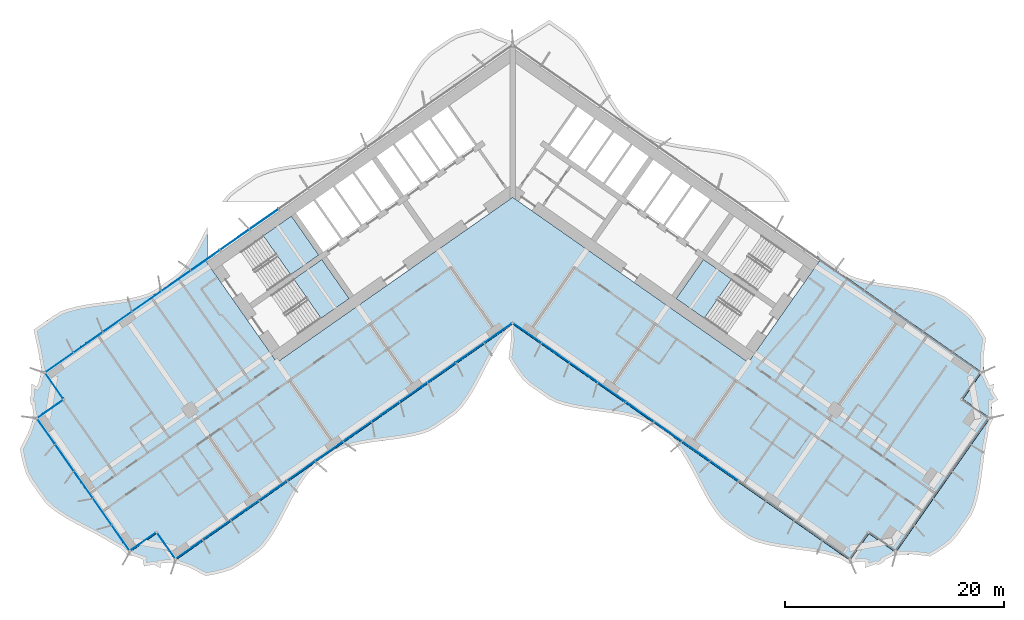
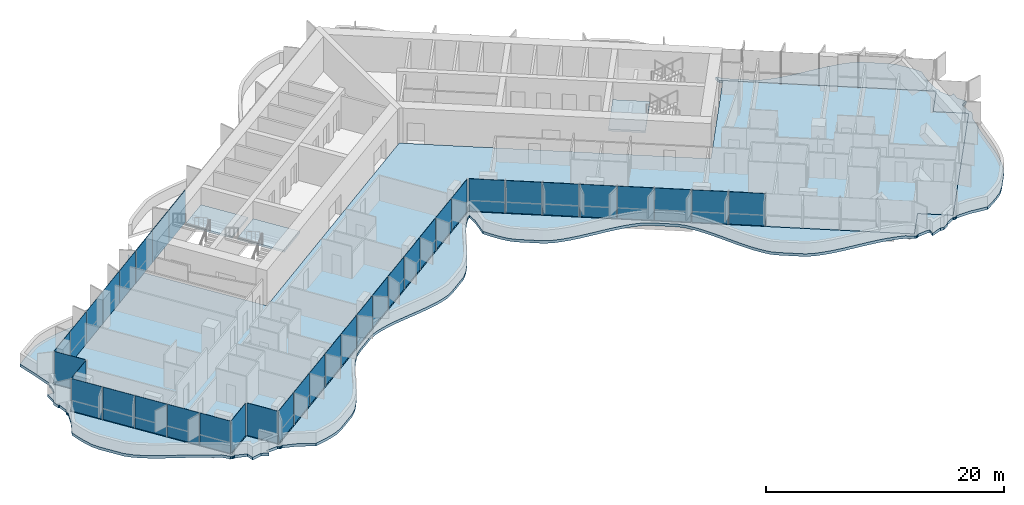
# One storey, part 11 of 24: 37 plates, 5 slabs, 5 elements without a shape of their own.
"""IFC4 building model written with IfcOpenShell, lengths in metres."""

import ifcopenshell
import ifcopenshell.guid

model = None  # the IFC model being written
_history = None  # IfcOwnerHistory: only IFC2X3 demands one
_inside = {}  # id of a spatial element -> (the spatial element, [elements in it])
_under = {}  # id of a project, library or spatial element -> (it, [spatial elements below it])
_declared = {}  # id of a project -> (the project, [libraries it declares])
_typed = {}  # id of a type object -> (the type object, [elements of that type])
_made_of = {}  # id of a material, layer set ... -> (it, [elements and type objects made of it])


def new_model(schema):
    """Start an empty IFC model of exactly this schema.

    Asked for "IFC4X3", IfcOpenShell would pick the latest addendum, in which some entities
    have other attributes; the version numbers below select the first issue.
    IFC2X3 requires an IfcOwnerHistory on every rooted entity: one is made here for all.
    """
    global model, _history
    if schema == "IFC4X3":
        model = ifcopenshell.file(schema_version=(4, 3, 0, 0))
    else:
        model = ifcopenshell.file(schema=schema)
    _inside.clear()
    _under.clear()
    _declared.clear()
    _typed.clear()
    _made_of.clear()
    _history = None
    if model.schema == "IFC2X3":
        org = make("IfcOrganization", Name="unknown")
        user = make(
            "IfcPersonAndOrganization",
            ThePerson=make("IfcPerson", FamilyName="unknown"),
            TheOrganization=org,
        )
        app = make(
            "IfcApplication",
            ApplicationDeveloper=org,
            Version="unknown",
            ApplicationFullName="unknown",
            ApplicationIdentifier="unknown",
        )
        _history = make(
            "IfcOwnerHistory",
            OwningUser=user,
            OwningApplication=app,
            ChangeAction="ADDED",
            CreationDate=0,
        )
    return model


def make(cls, **values):
    """One entity of the class cls with the attributes given. An attribute that is None is left unset."""
    return model.create_entity(
        cls, **{name: value for name, value in values.items() if value is not None}
    )


def rooted(cls, **values):
    """An entity with a GlobalId (a new one), such as an element, a storey or a relation."""
    return make(cls, GlobalId=ifcopenshell.guid.new(), OwnerHistory=_history, **values)


def si_unit(unit_type, name, prefix=None):
    """IfcSIUnit, for example si_unit("LENGTHUNIT", "METRE", prefix="MILLI")."""
    return make("IfcSIUnit", UnitType=unit_type, Prefix=prefix, Name=name)


def assignment(units):
    """IfcUnitAssignment: the units of a project."""
    return None if units is None else make("IfcUnitAssignment", Units=units)


def point(xyz):
    """IfcCartesianPoint."""
    return None if xyz is None else make("IfcCartesianPoint", Coordinates=xyz)


def direction(xyz):
    """IfcDirection."""
    return None if xyz is None else make("IfcDirection", DirectionRatios=xyz)


def frame(location, z_axis=None, x_axis=None):
    """IfcAxis2Placement3D, a coordinate frame: its origin and axes. An axis left out is left unset."""
    return make(
        "IfcAxis2Placement3D",
        Location=point(location),
        Axis=direction(z_axis),
        RefDirection=direction(x_axis),
    )


def frame_2d(location, x_axis=None):
    """IfcAxis2Placement2D, a coordinate frame in the plane: its origin and x axis."""
    return make(
        "IfcAxis2Placement2D", Location=point(location), RefDirection=direction(x_axis)
    )


def origin():
    """The frame at (0, 0, 0) with its axes left unset."""
    return frame((0.0, 0.0, 0.0))


def origin_2d():
    """The frame at (0, 0) in the plane with its x axis left unset."""
    return frame_2d((0.0, 0.0))


def place(relative_to, where):
    """IfcLocalPlacement: puts the frame where relative to a parent placement (None: the world)."""
    return make(
        "IfcLocalPlacement", PlacementRelTo=relative_to, RelativePlacement=where
    )


def context(
    kind, dimensions, precision=None, world=None, true_north=None, identifier=None
):
    """IfcGeometricRepresentationContext, for example the 3D "Model" context."""
    return make(
        "IfcGeometricRepresentationContext",
        ContextIdentifier=identifier,
        ContextType=kind,
        CoordinateSpaceDimension=dimensions,
        Precision=precision,
        WorldCoordinateSystem=world,
        TrueNorth=true_north,
    )


def subcontext(parent, identifier, kind, view, scale=None):
    """IfcGeometricRepresentationSubContext, for example "Body" below "Model"."""
    return make(
        "IfcGeometricRepresentationSubContext",
        ContextIdentifier=identifier,
        ContextType=kind,
        ParentContext=parent,
        TargetScale=scale,
        TargetView=view,
    )


def project(units=None, contexts=None):
    """IfcProject with its units and contexts."""
    return rooted(
        "IfcProject",
        Name="project",
        RepresentationContexts=contexts,
        UnitsInContext=assignment(units),
    )


def spatial(cls, under=None, at=None, **own):
    """A site, building, storey or space (cls), placed at a placement, below another one or the project."""
    s = rooted(cls, ObjectPlacement=at, **own)
    if under is not None:
        _under.setdefault(under.id(), (under, []))[1].append(s)
    return s


def polyline(points):
    """IfcPolyline through the points."""
    return make("IfcPolyline", Points=[point(p) for p in points])


def profile(cls, at=None, kind="AREA", **sizes):
    """A parametric profile (cls). Its sizes go by their IFC names, for example OverallWidth=200.0."""
    return make(cls, ProfileType=kind, Position=at, **sizes)


def rectangle(**sizes):
    """IfcRectangleProfileDef."""
    return profile("IfcRectangleProfileDef", **sizes)


def outline(outer, holes=None, kind="AREA"):
    """IfcArbitraryClosedProfileDef: a profile drawn as a closed curve; with holes, ...WithVoids."""
    if holes is None:
        return make("IfcArbitraryClosedProfileDef", ProfileType=kind, OuterCurve=outer)
    return make(
        "IfcArbitraryProfileDefWithVoids",
        ProfileType=kind,
        OuterCurve=outer,
        InnerCurves=holes,
    )


def extrude(swept, where, along, depth):
    """IfcExtrudedAreaSolid: the profile swept, set in the frame where, extruded along a direction by depth."""
    return make(
        "IfcExtrudedAreaSolid",
        SweptArea=swept,
        Position=where,
        ExtrudedDirection=direction(along),
        Depth=depth,
    )


def shape(context_of_items, identifier, shape_type, items):
    """IfcShapeRepresentation: the items that make up one representation, for example the "Body"."""
    return make(
        "IfcShapeRepresentation",
        ContextOfItems=context_of_items,
        RepresentationIdentifier=identifier,
        RepresentationType=shape_type,
        Items=items,
    )


def material(Name=None, Category=None):
    """IfcMaterial."""
    return make("IfcMaterial", Name=Name, Category=Category)


def layer(
    of_material, thickness, ventilated=None, Name=None, Category=None, Priority=None
):
    """IfcMaterialLayer: one layer of a wall or slab, of a material (None: an air gap)."""
    return make(
        "IfcMaterialLayer",
        Material=of_material,
        LayerThickness=thickness,
        IsVentilated=ventilated,
        Name=Name,
        Category=Category,
        Priority=Priority,
    )


def layer_set(layers, Name=None):
    """IfcMaterialLayerSet."""
    return make("IfcMaterialLayerSet", MaterialLayers=layers, LayerSetName=Name)


def made_of(thing, what):
    """Note that an element or type object is made of a material, layer set ...; save() writes the relation."""
    if what is not None:
        _made_of.setdefault(what.id(), (what, []))[1].append(thing)
    return thing


def type_object(cls, material=None, **own):
    """A type object (cls), such as IfcWallType, which elements share."""
    return made_of(rooted(cls, **own), material)


def element(
    cls,
    number,
    at=None,
    inside=None,
    cuts=None,
    type_object=None,
    material=None,
    context=None,
    identifier="Body",
    shape_type=None,
    held_by="IfcProductDefinitionShape",
    body=None,
    shapes=None,
    **own,
):
    """One element of the class cls, such as IfcWall. Its Tag is "e" and its number.

    at: its placement. inside: the storey or other place that contains it. cuts: it is an
    opening in that element (IfcRelVoidsElement). A single representation is given by context,
    identifier, shape_type and body (its items); several are given by shapes. held_by: the class
    of the entity that holds the representations. save() writes the other relations.
    """
    e = rooted(cls, Tag="e%d" % number, ObjectPlacement=at, **own)
    if body is not None:
        shapes = [shape(context, identifier, shape_type, body)]
    if shapes is not None:
        e.Representation = make(held_by, Representations=shapes)
    if inside is not None:
        _inside.setdefault(inside.id(), (inside, []))[1].append(e)
    if cuts is not None:
        rooted(
            "IfcRelVoidsElement", RelatingBuildingElement=cuts, RelatedOpeningElement=e
        )
    if type_object is not None:
        _typed.setdefault(type_object.id(), (type_object, []))[1].append(e)
    return made_of(e, material)


def aggregate(whole, parts):
    """IfcRelAggregates: a whole, such as a stair, and the parts it consists of."""
    return rooted("IfcRelAggregates", RelatingObject=whole, RelatedObjects=parts)


def save(model, path):
    """Write the relations noted so far, then the file.

    IfcRelAggregates (storeys below a building ...), IfcRelContainedInSpatialStructure (elements
    in a storey), IfcRelDefinesByType, IfcRelAssociatesMaterial and IfcRelDeclares: one each for
    every whole, place, type object, material and project.
    """
    for whole, parts in _under.values():
        aggregate(whole, parts)
    for where, things in _inside.values():
        rooted(
            "IfcRelContainedInSpatialStructure",
            RelatedElements=things,
            RelatingStructure=where,
        )
    for kind, things in _typed.values():
        rooted("IfcRelDefinesByType", RelatedObjects=things, RelatingType=kind)
    for what, things in _made_of.values():
        rooted("IfcRelAssociatesMaterial", RelatedObjects=things, RelatingMaterial=what)
    for by, libraries in _declared.values():
        rooted("IfcRelDeclares", RelatingContext=by, RelatedDefinitions=libraries)
    model.write(path)


model = new_model("IFC4")

# Units and contexts
model_context = context("Model", 3, precision=1e-05, world=origin(), true_north=direction((0.0, 1.0)))
body_context = subcontext(model_context, "Body", "Model", "MODEL_VIEW")
ifc_project = project(units=[si_unit("LENGTHUNIT", "METRE"), si_unit("AREAUNIT", "SQUARE_METRE"), si_unit("VOLUMEUNIT", "CUBIC_METRE"), si_unit("PLANEANGLEUNIT", "RADIAN"), si_unit("MASSUNIT", "GRAM", prefix="KILO")], contexts=[model_context])

# Site, building, storey
site_placement = place(None, origin())
site = spatial("IfcSite", under=ifc_project, at=site_placement, CompositionType="ELEMENT")
building_placement = place(site_placement, origin())
building = spatial("IfcBuilding", under=site, at=building_placement, Name="Tel Ilan Convention Tower", CompositionType="ELEMENT")
storey_placement = place(building_placement, frame((0.0, 0.0, 72.5)))
storey = spatial("IfcBuildingStorey", under=building, at=storey_placement, Name="L13", CompositionType="ELEMENT", Elevation=72.5)

# Curtain wall, plates
ifc_material_1 = material(Name="Aluminium, bronze anodised", Category="aluminium")
curtain_wall_type_1 = type_object("IfcCurtainWallType", Name="CW1 UNITISED CURTAIN WALL, HOTEL TINTED GLASS", PredefinedType="NOTDEFINED", material=ifc_material_1)
curtain_wall_1_placement = place(storey_placement, origin())
curtain_wall_1 = element("IfcCurtainWall", 1, at=curtain_wall_1_placement, inside=storey, type_object=curtain_wall_type_1, Name="Curtain wall CW1-13.02", PredefinedType="NOTDEFINED")
ifc_material_2 = material(Name="Glass, bronze tinted, two-ply unitised", Category="glass")
ifc_layer_1 = layer(ifc_material_2, 0.028076171875)
ifc_layer_set_1 = layer_set([ifc_layer_1], Name="CW HOTEL GLASS PANEL 28")
plate_type_1 = type_object("IfcPlateType", Name="CW HOTEL GLASS PANEL 28", PredefinedType="CURTAIN_PANEL", material=ifc_layer_set_1)
plate_1_placement = place(storey_placement, frame((-30.765869140625, -8.846435546875, 0.0), z_axis=(0.0, 0.0, 1.0), x_axis=(-0.819152044289, -0.573576436351, 0.0)))
plate_1 = element("IfcPlate", 2, at=plate_1_placement, type_object=plate_type_1, Name="Glass panel", PredefinedType="CURTAIN_PANEL", context=body_context, shape_type="SweptSolid", body=[
    extrude(rectangle(XDim=3.2119140625, YDim=0.028076171875, at=origin_2d()), origin(), (0.0, 0.0, 1.0), 3.320068359375),
])
plate_2_placement = place(storey_placement, frame((-33.446044921875, -10.72314453125, 0.0), z_axis=(0.0, 0.0, 1.0), x_axis=(-0.819152044289, -0.573576436351, 0.0)))
plate_2 = element("IfcPlate", 3, at=plate_2_placement, type_object=plate_type_1, Name="Glass panel", PredefinedType="CURTAIN_PANEL", context=body_context, shape_type="SweptSolid", body=[
    extrude(rectangle(XDim=3.2119140625, YDim=0.028076171875, at=origin_2d()), origin(), (0.0, 0.0, 1.0), 3.320068359375),
])
plate_3_placement = place(storey_placement, frame((-36.12646484375, -12.599853515625, 0.0), z_axis=(0.0, 0.0, 1.0), x_axis=(-0.819152044289, -0.573576436351, 0.0)))
plate_3 = element("IfcPlate", 4, at=plate_3_placement, type_object=plate_type_1, Name="Glass panel", PredefinedType="CURTAIN_PANEL", context=body_context, shape_type="SweptSolid", body=[
    extrude(rectangle(XDim=3.2119140625, YDim=0.028076171875, at=origin_2d()), origin(), (0.0, 0.0, 1.0), 3.320068359375),
])
plate_4_placement = place(storey_placement, frame((-38.806640625, -14.4765625, 0.0), z_axis=(0.0, 0.0, 1.0), x_axis=(-0.819152044289, -0.573576436351, 0.0)))
plate_4 = element("IfcPlate", 5, at=plate_4_placement, type_object=plate_type_1, Name="Glass panel", PredefinedType="CURTAIN_PANEL", context=body_context, shape_type="SweptSolid", body=[
    extrude(rectangle(XDim=3.2119140625, YDim=0.028076171875, at=origin_2d()), origin(), (0.0, 0.0, 1.0), 3.320068359375),
])
plate_5_placement = place(storey_placement, frame((-41.448486328125, -16.326416015625, 0.0), z_axis=(0.0, 0.0, 1.0), x_axis=(-0.819152044289, -0.573576436351, 0.0)))
plate_5 = element("IfcPlate", 6, at=plate_5_placement, type_object=plate_type_1, Name="Glass panel", PredefinedType="CURTAIN_PANEL", context=body_context, shape_type="SweptSolid", body=[
    extrude(rectangle(XDim=3.117919921875, YDim=0.028076171875, at=origin_2d()), origin(), (0.0, 0.0, 1.0), 3.320068359375),
])
plate_6_placement = place(storey_placement, frame((-41.90673828125, -18.431640625, 0.0), z_axis=(0.0, 0.0, 1.0), x_axis=(0.573576436351, -0.819152044289, 0.0)))
plate_6 = element("IfcPlate", 7, at=plate_6_placement, type_object=plate_type_1, Name="Glass panel", PredefinedType="CURTAIN_PANEL", context=body_context, shape_type="SweptSolid", body=[
    extrude(rectangle(XDim=2.875, YDim=0.028076171875, at=origin_2d()), origin(), (0.0, 0.0, 1.0), 3.320068359375),
])
plate_7_placement = place(storey_placement, frame((-42.28466796875, -20.57421875, 0.0), z_axis=(0.0, 0.0, 1.0), x_axis=(-0.819152044289, -0.573576436351, 0.0)))
plate_7 = element("IfcPlate", 8, at=plate_7_placement, type_object=plate_type_1, Name="Glass panel", PredefinedType="CURTAIN_PANEL", context=body_context, shape_type="SweptSolid", body=[
    extrude(rectangle(XDim=2.875, YDim=0.028076171875, at=origin_2d()), origin(), (0.0, 0.0, 1.0), 3.320068359375),
])
plate_8_placement = place(storey_placement, frame((-42.65185546875, -22.597900390625, 0.0), z_axis=(0.0, 0.0, 1.0), x_axis=(0.573576436351, -0.819152044289, 0.0)))
plate_8 = element("IfcPlate", 9, at=plate_8_placement, type_object=plate_type_1, Name="Glass panel", PredefinedType="CURTAIN_PANEL", context=body_context, shape_type="SweptSolid", body=[
    extrude(rectangle(XDim=2.845947265625, YDim=0.028076171875, at=origin_2d()), origin(), (0.0, 0.0, 1.0), 3.320068359375),
])
plate_9_placement = place(storey_placement, frame((-40.9580078125, -25.016845703125, 0.0), z_axis=(0.0, 0.0, 1.0), x_axis=(0.573576436351, -0.819152044289, 0.0)))
plate_9 = element("IfcPlate", 10, at=plate_9_placement, type_object=plate_type_1, Name="Glass panel", PredefinedType="CURTAIN_PANEL", context=body_context, shape_type="SweptSolid", body=[
    extrude(rectangle(XDim=2.93994140625, YDim=0.028076171875, at=origin_2d()), origin(), (0.0, 0.0, 1.0), 3.320068359375),
])
plate_10_placement = place(storey_placement, frame((-39.2373046875, -27.474365234375, 0.0), z_axis=(0.0, 0.0, 1.0), x_axis=(0.573576436351, -0.819152044289, 0.0)))
plate_10 = element("IfcPlate", 11, at=plate_10_placement, type_object=plate_type_1, Name="Glass panel", PredefinedType="CURTAIN_PANEL", context=body_context, shape_type="SweptSolid", body=[
    extrude(rectangle(XDim=2.93994140625, YDim=0.028076171875, at=origin_2d()), origin(), (0.0, 0.0, 1.0), 3.320068359375),
])
plate_11_placement = place(storey_placement, frame((-37.5166015625, -29.931884765625, 0.0), z_axis=(0.0, 0.0, 1.0), x_axis=(0.573576436351, -0.819152044289, 0.0)))
plate_11 = element("IfcPlate", 12, at=plate_11_placement, type_object=plate_type_1, Name="Glass panel", PredefinedType="CURTAIN_PANEL", context=body_context, shape_type="SweptSolid", body=[
    extrude(rectangle(XDim=2.93994140625, YDim=0.028076171875, at=origin_2d()), origin(), (0.0, 0.0, 1.0), 3.320068359375),
])
plate_12_placement = place(storey_placement, frame((-35.822998046875, -32.350830078125, 0.0), z_axis=(0.0, 0.0, 1.0), x_axis=(0.573576436351, -0.819152044289, 0.0)))
plate_12 = element("IfcPlate", 13, at=plate_12_placement, type_object=plate_type_1, Name="Glass panel", PredefinedType="CURTAIN_PANEL", context=body_context, shape_type="SweptSolid", body=[
    extrude(rectangle(XDim=2.845947265625, YDim=0.028076171875, at=origin_2d()), origin(), (0.0, 0.0, 1.0), 3.320068359375),
])
plate_13_placement = place(storey_placement, frame((-33.795654296875, -32.69775390625, 0.0), z_axis=(0.0, 0.0, 1.0), x_axis=(0.819152044289, 0.573576436351, 0.0)))
plate_13 = element("IfcPlate", 14, at=plate_13_placement, type_object=plate_type_1, Name="Glass panel", PredefinedType="CURTAIN_PANEL", context=body_context, shape_type="SweptSolid", body=[
    extrude(rectangle(XDim=2.875, YDim=0.028076171875, at=origin_2d()), origin(), (0.0, 0.0, 1.0), 3.320068359375),
])
plate_14_placement = place(storey_placement, frame((-31.653076171875, -33.07568359375, 0.0), z_axis=(0.0, 0.0, 1.0), x_axis=(0.573576436351, -0.819152044289, 0.0)))
plate_14 = element("IfcPlate", 15, at=plate_14_placement, type_object=plate_type_1, Name="Glass panel", PredefinedType="CURTAIN_PANEL", context=body_context, shape_type="SweptSolid", body=[
    extrude(rectangle(XDim=2.875, YDim=0.028076171875, at=origin_2d()), origin(), (0.0, 0.0, 1.0), 3.320068359375),
])
plate_15_placement = place(storey_placement, frame((-29.5732421875, -33.4033203125, 0.0), z_axis=(0.0, 0.0, 1.0), x_axis=(0.819152044289, 0.573576436351, 0.0)))
plate_15 = element("IfcPlate", 16, at=plate_15_placement, type_object=plate_type_1, Name="Glass panel", PredefinedType="CURTAIN_PANEL", context=body_context, shape_type="SweptSolid", body=[
    extrude(rectangle(XDim=2.9833984375, YDim=0.028076171875, at=origin_2d()), origin(), (0.0, 0.0, 1.0), 3.320068359375),
])
plate_16_placement = place(storey_placement, frame((-27.041748046875, -31.630859375, 0.0), z_axis=(0.0, 0.0, 1.0), x_axis=(0.819152044289, 0.573576436351, 0.0)))
plate_16 = element("IfcPlate", 17, at=plate_16_placement, type_object=plate_type_1, Name="Glass panel", PredefinedType="CURTAIN_PANEL", context=body_context, shape_type="SweptSolid", body=[
    extrude(rectangle(XDim=3.077392578125, YDim=0.028076171875, at=origin_2d()), origin(), (0.0, 0.0, 1.0), 3.320068359375),
])
plate_17_placement = place(storey_placement, frame((-24.4716796875, -29.831298828125, 0.0), z_axis=(0.0, 0.0, 1.0), x_axis=(0.819152044289, 0.573576436351, 0.0)))
plate_17 = element("IfcPlate", 18, at=plate_17_placement, type_object=plate_type_1, Name="Glass panel", PredefinedType="CURTAIN_PANEL", context=body_context, shape_type="SweptSolid", body=[
    extrude(rectangle(XDim=3.077392578125, YDim=0.028076171875, at=origin_2d()), origin(), (0.0, 0.0, 1.0), 3.320068359375),
])
plate_18_placement = place(storey_placement, frame((-21.90185546875, -28.031982421875, 0.0), z_axis=(0.0, 0.0, 1.0), x_axis=(0.819152044289, 0.573576436351, 0.0)))
plate_18 = element("IfcPlate", 19, at=plate_18_placement, type_object=plate_type_1, Name="Glass panel", PredefinedType="CURTAIN_PANEL", context=body_context, shape_type="SweptSolid", body=[
    extrude(rectangle(XDim=3.077392578125, YDim=0.028076171875, at=origin_2d()), origin(), (0.0, 0.0, 1.0), 3.320068359375),
])
plate_19_placement = place(storey_placement, frame((-19.33203125, -26.232421875, 0.0), z_axis=(0.0, 0.0, 1.0), x_axis=(0.819152044289, 0.573576436351, 0.0)))
plate_19 = element("IfcPlate", 20, at=plate_19_placement, type_object=plate_type_1, Name="Glass panel", PredefinedType="CURTAIN_PANEL", context=body_context, shape_type="SweptSolid", body=[
    extrude(rectangle(XDim=3.077392578125, YDim=0.028076171875, at=origin_2d()), origin(), (0.0, 0.0, 1.0), 3.320068359375),
])
plate_20_placement = place(storey_placement, frame((-16.761962890625, -24.432861328125, 0.0), z_axis=(0.0, 0.0, 1.0), x_axis=(0.819152044289, 0.573576436351, 0.0)))
plate_20 = element("IfcPlate", 21, at=plate_20_placement, type_object=plate_type_1, Name="Glass panel", PredefinedType="CURTAIN_PANEL", context=body_context, shape_type="SweptSolid", body=[
    extrude(rectangle(XDim=3.077392578125, YDim=0.028076171875, at=origin_2d()), origin(), (0.0, 0.0, 1.0), 3.320068359375),
])
plate_21_placement = place(storey_placement, frame((-14.192138671875, -22.633544921875, 0.0), z_axis=(0.0, 0.0, 1.0), x_axis=(0.819152044289, 0.573576436351, 0.0)))
plate_21 = element("IfcPlate", 22, at=plate_21_placement, type_object=plate_type_1, Name="Glass panel", PredefinedType="CURTAIN_PANEL", context=body_context, shape_type="SweptSolid", body=[
    extrude(rectangle(XDim=3.077392578125, YDim=0.028076171875, at=origin_2d()), origin(), (0.0, 0.0, 1.0), 3.320068359375),
])
plate_22_placement = place(storey_placement, frame((-11.6220703125, -20.833984375, 0.0), z_axis=(0.0, 0.0, 1.0), x_axis=(0.819152044289, 0.573576436351, 0.0)))
plate_22 = element("IfcPlate", 23, at=plate_22_placement, type_object=plate_type_1, Name="Glass panel", PredefinedType="CURTAIN_PANEL", context=body_context, shape_type="SweptSolid", body=[
    extrude(rectangle(XDim=3.077392578125, YDim=0.028076171875, at=origin_2d()), origin(), (0.0, 0.0, 1.0), 3.320068359375),
])
plate_23_placement = place(storey_placement, frame((-9.05224609375, -19.034423828125, 0.0), z_axis=(0.0, 0.0, 1.0), x_axis=(0.819152044289, 0.573576436351, 0.0)))
plate_23 = element("IfcPlate", 24, at=plate_23_placement, type_object=plate_type_1, Name="Glass panel", PredefinedType="CURTAIN_PANEL", context=body_context, shape_type="SweptSolid", body=[
    extrude(rectangle(XDim=3.077392578125, YDim=0.028076171875, at=origin_2d()), origin(), (0.0, 0.0, 1.0), 3.320068359375),
])
plate_24_placement = place(storey_placement, frame((-6.482177734375, -17.23486328125, 0.0), z_axis=(0.0, 0.0, 1.0), x_axis=(0.819152044289, 0.573576436351, 0.0)))
plate_24 = element("IfcPlate", 25, at=plate_24_placement, type_object=plate_type_1, Name="Glass panel", PredefinedType="CURTAIN_PANEL", context=body_context, shape_type="SweptSolid", body=[
    extrude(rectangle(XDim=3.077392578125, YDim=0.028076171875, at=origin_2d()), origin(), (0.0, 0.0, 1.0), 3.320068359375),
])
plate_25_placement = place(storey_placement, frame((-3.912353515625, -15.435546875, 0.0), z_axis=(0.0, 0.0, 1.0), x_axis=(0.819152044289, 0.573576436351, 0.0)))
plate_25 = element("IfcPlate", 26, at=plate_25_placement, type_object=plate_type_1, Name="Glass panel", PredefinedType="CURTAIN_PANEL", context=body_context, shape_type="SweptSolid", body=[
    extrude(rectangle(XDim=3.077392578125, YDim=0.028076171875, at=origin_2d()), origin(), (0.0, 0.0, 1.0), 3.320068359375),
])
plate_26_placement = place(storey_placement, frame((-1.3427734375, -13.63623046875, 0.0), z_axis=(0.0, 0.0, 1.0), x_axis=(0.819152044289, 0.573576436351, 0.0)))
plate_26 = element("IfcPlate", 27, at=plate_26_placement, type_object=plate_type_1, Name="Glass panel", PredefinedType="CURTAIN_PANEL", context=body_context, shape_type="SweptSolid", body=[
    extrude(rectangle(XDim=3.076416015625, YDim=0.028076171875, at=origin_2d()), origin(), (0.0, 0.0, 1.0), 3.320068359375),
])
plate_27_placement = place(storey_placement, frame((1.354248046875, -13.644287109375, 0.0), z_axis=(0.0, 0.0, 1.0), x_axis=(0.819152044289, -0.573576436351, 0.0)))
plate_27 = element("IfcPlate", 28, at=plate_27_placement, type_object=plate_type_1, Name="Glass panel", PredefinedType="CURTAIN_PANEL", context=body_context, shape_type="SweptSolid", body=[
    extrude(rectangle(XDim=3.048095703125, YDim=0.028076171875, at=origin_2d()), origin(), (0.0, 0.0, 1.0), 3.320068359375),
])
plate_28_placement = place(storey_placement, frame((3.912353515625, -15.435546875, 0.0), z_axis=(0.0, 0.0, 1.0), x_axis=(0.819152044289, -0.573576436351, 0.0)))
plate_28 = element("IfcPlate", 29, at=plate_28_placement, type_object=plate_type_1, Name="Glass panel", PredefinedType="CURTAIN_PANEL", context=body_context, shape_type="SweptSolid", body=[
    extrude(rectangle(XDim=3.077392578125, YDim=0.028076171875, at=origin_2d()), origin(), (0.0, 0.0, 1.0), 3.320068359375),
])
plate_29_placement = place(storey_placement, frame((6.482177734375, -17.23486328125, 0.0), z_axis=(0.0, 0.0, 1.0), x_axis=(0.819152044289, -0.573576436351, 0.0)))
plate_29 = element("IfcPlate", 30, at=plate_29_placement, type_object=plate_type_1, Name="Glass panel", PredefinedType="CURTAIN_PANEL", context=body_context, shape_type="SweptSolid", body=[
    extrude(rectangle(XDim=3.077392578125, YDim=0.028076171875, at=origin_2d()), origin(), (0.0, 0.0, 1.0), 3.320068359375),
])
plate_30_placement = place(storey_placement, frame((9.05224609375, -19.034423828125, 0.0), z_axis=(0.0, 0.0, 1.0), x_axis=(0.819152044289, -0.573576436351, 0.0)))
plate_30 = element("IfcPlate", 31, at=plate_30_placement, type_object=plate_type_1, Name="Glass panel", PredefinedType="CURTAIN_PANEL", context=body_context, shape_type="SweptSolid", body=[
    extrude(rectangle(XDim=3.077392578125, YDim=0.028076171875, at=origin_2d()), origin(), (0.0, 0.0, 1.0), 3.320068359375),
])
plate_31_placement = place(storey_placement, frame((11.6220703125, -20.833984375, 0.0), z_axis=(0.0, 0.0, 1.0), x_axis=(0.819152044289, -0.573576436351, 0.0)))
plate_31 = element("IfcPlate", 32, at=plate_31_placement, type_object=plate_type_1, Name="Glass panel", PredefinedType="CURTAIN_PANEL", context=body_context, shape_type="SweptSolid", body=[
    extrude(rectangle(XDim=3.077392578125, YDim=0.028076171875, at=origin_2d()), origin(), (0.0, 0.0, 1.0), 3.320068359375),
])
plate_32_placement = place(storey_placement, frame((14.192138671875, -22.633544921875, 0.0), z_axis=(0.0, 0.0, 1.0), x_axis=(0.819152044289, -0.573576436351, 0.0)))
plate_32 = element("IfcPlate", 33, at=plate_32_placement, type_object=plate_type_1, Name="Glass panel", PredefinedType="CURTAIN_PANEL", context=body_context, shape_type="SweptSolid", body=[
    extrude(rectangle(XDim=3.077392578125, YDim=0.028076171875, at=origin_2d()), origin(), (0.0, 0.0, 1.0), 3.320068359375),
])
plate_33_placement = place(storey_placement, frame((16.761962890625, -24.432861328125, 0.0), z_axis=(0.0, 0.0, 1.0), x_axis=(0.819152044289, -0.573576436351, 0.0)))
plate_33 = element("IfcPlate", 34, at=plate_33_placement, type_object=plate_type_1, Name="Glass panel", PredefinedType="CURTAIN_PANEL", context=body_context, shape_type="SweptSolid", body=[
    extrude(rectangle(XDim=3.077392578125, YDim=0.028076171875, at=origin_2d()), origin(), (0.0, 0.0, 1.0), 3.320068359375),
])
plate_34_placement = place(storey_placement, frame((19.33203125, -26.232421875, 0.0), z_axis=(0.0, 0.0, 1.0), x_axis=(0.819152044289, -0.573576436351, 0.0)))
plate_34 = element("IfcPlate", 35, at=plate_34_placement, type_object=plate_type_1, Name="Glass panel", PredefinedType="CURTAIN_PANEL", context=body_context, shape_type="SweptSolid", body=[
    extrude(rectangle(XDim=3.077392578125, YDim=0.028076171875, at=origin_2d()), origin(), (0.0, 0.0, 1.0), 3.320068359375),
])
aggregate(curtain_wall_1, [plate_1, plate_2, plate_3, plate_4, plate_5, plate_6, plate_7, plate_8, plate_9, plate_10, plate_11, plate_12, plate_13, plate_14, plate_15, plate_16, plate_17, plate_18, plate_19, plate_20, plate_21, plate_22, plate_23, plate_24, plate_25, plate_26, plate_27, plate_28, plate_29, plate_30, plate_31, plate_32, plate_33, plate_34])

ifc_material_3 = material(Name="Aluminium, bronze anodised", Category="aluminium")
curtain_wall_type_2 = type_object("IfcCurtainWallType", Name="CW2 STICK CURTAIN WALL, SPANDREL PANELS", PredefinedType="NOTDEFINED", material=ifc_material_3)
curtain_wall_2_placement = place(storey_placement, origin())
curtain_wall_2 = element("IfcCurtainWall", 36, at=curtain_wall_2_placement, inside=storey, type_object=curtain_wall_type_2, Name="Curtain wall CW2-13.01", PredefinedType="NOTDEFINED")
ifc_material_4 = material(Name="Aluminium composite panel, bronze anodised", Category="aluminium")
ifc_layer_2 = layer(ifc_material_4, 0.06005859375)
ifc_layer_set_2 = layer_set([ifc_layer_2], Name="CW SPANDREL PANEL 60")
plate_type_2 = type_object("IfcPlateType", Name="CW SPANDREL PANEL 60", PredefinedType="CURTAIN_PANEL", material=ifc_layer_set_2)
plate_35_placement = place(storey_placement, frame((-22.72509765625, -3.216064453125, 0.0), z_axis=(0.0, 0.0, 1.0), x_axis=(-0.819152044289, -0.573576436351, 0.0)))
plate_35 = element("IfcPlate", 37, at=plate_35_placement, type_object=plate_type_2, Name="Spandrel panel", PredefinedType="CURTAIN_PANEL", context=body_context, shape_type="SweptSolid", body=[
    extrude(rectangle(XDim=3.2119140625, YDim=0.06005859375, at=origin_2d()), origin(), (0.0, 0.0, 1.0), 3.320068359375),
])
plate_36_placement = place(storey_placement, frame((-25.4052734375, -5.0927734375, 0.0), z_axis=(0.0, 0.0, 1.0), x_axis=(-0.819152044289, -0.573576436351, 0.0)))
plate_36 = element("IfcPlate", 38, at=plate_36_placement, type_object=plate_type_2, Name="Spandrel panel", PredefinedType="CURTAIN_PANEL", context=body_context, shape_type="SweptSolid", body=[
    extrude(rectangle(XDim=3.2119140625, YDim=0.06005859375, at=origin_2d()), origin(), (0.0, 0.0, 1.0), 3.320068359375),
])
plate_37_placement = place(storey_placement, frame((-28.08544921875, -6.9697265625, 0.0), z_axis=(0.0, 0.0, 1.0), x_axis=(-0.819152044289, -0.573576436351, 0.0)))
plate_37 = element("IfcPlate", 39, at=plate_37_placement, type_object=plate_type_2, Name="Spandrel panel", PredefinedType="CURTAIN_PANEL", context=body_context, shape_type="SweptSolid", body=[
    extrude(rectangle(XDim=3.2119140625, YDim=0.06005859375, at=origin_2d()), origin(), (0.0, 0.0, 1.0), 3.320068359375),
])
aggregate(curtain_wall_2, [plate_35, plate_36, plate_37])

# Stair, slab
ifc_material_5 = material(Name="Concrete C40/50", Category="concrete")
stair_type = type_object("IfcStairType", Name="Pressurised Exit Stair 20 risers 180 mm", PredefinedType="HALF_TURN_STAIR", material=ifc_material_5)
stair_1_placement = place(storey_placement, origin())
stair_1 = element("IfcStair", 40, at=stair_1_placement, inside=storey, type_object=stair_type, Name="L13 Pressurised Stair S1", PredefinedType="HALF_TURN_STAIR")
ifc_material_6 = material(Name="Concrete C40/50", Category="concrete")
ifc_layer_3 = layer(ifc_material_6, 0.199951171875)
ifc_layer_set_3 = layer_set([ifc_layer_3], Name="Concrete Stair Landing 200 mm C40/50")
slab_type_1 = type_object("IfcSlabType", Name="Concrete Stair Landing 200 mm", PredefinedType="LANDING", material=ifc_layer_set_3)
slab_1_placement = place(storey_placement, frame((0.0, 0.0, 1.60009765625)))
slab_1 = element("IfcSlab", 41, at=slab_1_placement, type_object=slab_type_1, Name="S1 landing 1", PredefinedType="LANDING", context=body_context, shape_type="SweptSolid", body=[
    extrude(outline(polyline([(-20.2958984375, -8.29052734375), (-17.7314453125, -6.494873046875), (-20.226318359375, -2.931640625), (-22.791015625, -4.727294921875), (-20.2958984375, -8.29052734375)])), origin(), (0.0, 0.0, 1.0), 0.199951171875),
])
aggregate(stair_1, [slab_1])

stair_2_placement = place(storey_placement, origin())
stair_2 = element("IfcStair", 42, at=stair_2_placement, inside=storey, type_object=stair_type, Name="L13 Pressurised Stair S2", PredefinedType="HALF_TURN_STAIR")
slab_2_placement = place(storey_placement, frame((0.0, 0.0, 1.60009765625)))
slab_2 = element("IfcSlab", 43, at=slab_2_placement, type_object=slab_type_1, Name="S2 landing 1", PredefinedType="LANDING", context=body_context, shape_type="SweptSolid", body=[
    extrude(outline(polyline([(-17.51416015625, -12.263427734375), (-14.949462890625, -10.4677734375), (-17.444580078125, -6.904541015625), (-20.00927734375, -8.7001953125), (-17.51416015625, -12.263427734375)])), origin(), (0.0, 0.0, 1.0), 0.199951171875),
])
aggregate(stair_2, [slab_2])

stair_3_placement = place(storey_placement, origin())
stair_3 = element("IfcStair", 44, at=stair_3_placement, inside=storey, type_object=stair_type, Name="L13 Pressurised Stair S4", PredefinedType="HALF_TURN_STAIR")
slab_3_placement = place(storey_placement, frame((0.0, 0.0, 1.60009765625)))
slab_3 = element("IfcSlab", 45, at=slab_3_placement, type_object=slab_type_1, Name="S4 landing 1", PredefinedType="LANDING", context=body_context, shape_type="SweptSolid", body=[
    extrude(outline(polyline([(20.00927734375, -8.7001953125), (17.444580078125, -6.904541015625), (14.949462890625, -10.4677734375), (17.51416015625, -12.263427734375), (20.00927734375, -8.7001953125)])), origin(), (0.0, 0.0, 1.0), 0.199951171875),
])
aggregate(stair_3, [slab_3])

# Slabs
ifc_material_7 = material(Name="Concrete C40/50", Category="concrete")
ifc_layer_4 = layer(ifc_material_7, 0.280029296875)
ifc_layer_set_4 = layer_set([ifc_layer_4], Name="Edge Ledge Slab 280 mm C40/50")
slab_type_2 = type_object("IfcSlabType", Name="Edge Ledge Slab 280 mm C40/50", PredefinedType="FLOOR", material=ifc_layer_set_4)
slab_4_placement = place(storey_placement, frame((0.0, 0.0, -0.280029296875)))
element("IfcSlab", 46, at=slab_4_placement, inside=storey, type_object=slab_type_2, Name="L13 edge ledge 1", PredefinedType="FLOOR", context=body_context, shape_type="SweptSolid", body=[
    extrude(outline(polyline([(-30.83935546875, -34.412109375), (0.0, -12.818115234375), (30.83935546875, -34.412109375), (31.006591796875, -34.173095703125), (31.8720703125, -32.93701171875), (32.56005859375, -31.95458984375), (35.017578125, -33.67529296875), (43.62109375, -21.387939453125), (41.163818359375, -19.667236328125), (42.884521484375, -17.209716796875), (27.875, -6.7001953125), (27.875, -6.095458984375), (28.356689453125, -6.663818359375), (28.9658203125, -7.097900390625), (30.191162109375, -7.955810546875), (30.819091796875, -8.36279296875), (31.54931640625, -8.623779296875), (32.318115234375, -8.830078125), (33.117919921875, -8.99169921875), (33.940185546875, -9.120849609375), (34.77587890625, -9.2314453125), (35.614501953125, -9.337646484375), (36.44580078125, -9.4541015625), (37.260009765625, -9.595458984375), (38.0478515625, -9.774169921875), (38.80126953125, -10.001953125), (39.492919921875, -10.318115234375), (41.330810546875, -11.605224609375), (41.898193359375, -12.098876953125), (42.38134765625, -12.712890625), (42.827880859375, -13.378662109375), (43.245849609375, -14.085693359375), (43.041259765625, -15.681884765625), (43.056396484375, -16.964111328125), (43.05322265625, -16.96875), (43.096435546875, -16.997802734375), (43.16162109375, -17.094970703125), (43.184326171875, -17.209716796875), (43.16162109375, -17.32470703125), (43.12548828125, -17.378662109375), (43.130126953125, -17.3818359375), (43.590087890625, -18.400390625), (43.980224609375, -18.259765625), (43.89599609375, -18.9287109375), (44.357421875, -19.7060546875), (43.8017578125, -20.049560546875), (43.78125, -20.04541015625), (43.793212890625, -21.142333984375), (43.789794921875, -21.14697265625), (43.833251953125, -21.17578125), (43.898193359375, -21.273193359375), (43.921142578125, -21.387939453125), (43.898193359375, -21.502685546875), (43.8623046875, -21.556884765625), (43.866943359375, -21.56005859375), (43.5263671875, -22.2373046875), (43.40673828125, -23.069091796875), (43.24267578125, -23.86962890625), (43.11181640625, -24.693603515625), (43.00048828125, -25.53125), (42.89404296875, -26.372314453125), (42.777587890625, -27.20654296875), (42.63720703125, -28.023681640625), (42.45947265625, -28.814697265625), (42.232421875, -29.571533203125), (41.919921875, -30.268310546875), (40.62939453125, -32.111328125), (40.13671875, -32.681884765625), (39.521728515625, -33.1669921875), (38.8544921875, -33.615234375), (38.145751953125, -34.034423828125), (36.55078125, -33.833251953125), (35.26318359375, -33.847412109375), (35.258544921875, -33.843994140625), (35.2294921875, -33.887451171875), (35.13232421875, -33.952392578125), (35.017578125, -33.975341796875), (34.902587890625, -33.952392578125), (34.8486328125, -33.91650390625), (34.845458984375, -33.921142578125), (33.979248046875, -34.3603515625), (34.032958984375, -34.45068359375), (33.477294921875, -34.794189453125), (33.17138671875, -34.73291015625), (32.20068359375, -35.082763671875), (32.267822265625, -34.55126953125), (32.01025390625, -34.49951171875), (31.0849609375, -34.583984375), (31.080322265625, -34.580810546875), (31.051513671875, -34.624267578125), (30.9541015625, -34.689208984375), (30.83935546875, -34.7119140625), (30.724609375, -34.689208984375), (30.67041015625, -34.653076171875), (30.667236328125, -34.65771484375), (30.052001953125, -34.24951171875), (29.31787109375, -34.010986328125), (28.5576171875, -33.809814453125), (27.76708984375, -33.6513671875), (26.955078125, -33.5244140625), (26.130126953125, -33.415283203125), (25.302490234375, -33.310546875), (24.481689453125, -33.19580078125), (23.67724609375, -33.0576171875), (22.898193359375, -32.8828125), (22.15234375, -32.6611328125), (21.460693359375, -32.362060546875), (19.646728515625, -31.091796875), (19.073486328125, -30.623291015625), (18.59130859375, -30.025146484375), (18.145263671875, -29.375), (17.728759765625, -28.682861328125), (17.333251953125, -27.960693359375), (16.949462890625, -27.2216796875), (16.567626953125, -26.47998046875), (16.177734375, -25.749755859375), (15.7705078125, -25.044189453125), (15.33740234375, -24.376220703125), (14.8701171875, -23.75634765625), (14.340576171875, -23.2255859375), (12.526611328125, -21.95556640625), (11.8798828125, -21.591796875), (11.14892578125, -21.3486328125), (10.38232421875, -21.15673828125), (9.5869140625, -21.005615234375), (8.771484375, -20.883056640625), (7.9453125, -20.77587890625), (7.1181640625, -20.67041015625), (6.2998046875, -20.552001953125), (5.499755859375, -20.40771484375), (4.726806640625, -20.224609375), (3.98828125, -19.9921875), (3.320068359375, -19.65966796875), (1.505859375, -18.389404296875), (0.95361328125, -17.89111328125), (0.47900390625, -17.281982421875), (0.03955078125, -16.62255859375), (-0.37109375, -15.922119140625), (-0.15185546875, -14.322021484375), (-0.16796875, -13.314697265625), (-0.422119140625, -13.502197265625), (-0.897216796875, -14.110595703125), (-1.346435546875, -14.75634765625), (-1.765380859375, -15.44482421875), (-2.16259765625, -16.16455078125), (-2.547119140625, -16.90234375), (-2.9287109375, -17.644287109375), (-3.3173828125, -18.37646484375), (-3.722412109375, -19.0849609375), (-4.15283203125, -19.757080078125), (-4.616455078125, -20.38232421875), (-5.134033203125, -20.929931640625), (-6.947998046875, -22.2001953125), (-7.584228515625, -22.57861328125), (-8.311279296875, -22.8271484375), (-9.074951171875, -23.023681640625), (-9.867919921875, -23.178466796875), (-10.681640625, -23.30322265625), (-11.507080078125, -23.4111328125), (-12.334716796875, -23.516357421875), (-13.154296875, -23.6328125), (-13.95654296875, -23.774169921875), (-14.732666015625, -23.952880859375), (-15.474853515625, -24.1796875), (-16.154541015625, -24.495849609375), (-17.96875, -25.76611328125), (-18.531494140625, -26.249267578125), (-19.010009765625, -26.85302734375), (-19.45263671875, -27.5078125), (-19.86669921875, -28.20361328125), (-20.2607421875, -28.927978515625), (-20.643798828125, -29.66748046875), (-21.02587890625, -30.40869140625), (-21.4169921875, -31.13720703125), (-21.826416015625, -31.839599609375), (-22.262939453125, -32.50341796875), (-22.733642578125, -33.117919921875), (-23.27490234375, -33.632080078125), (-25.0888671875, -34.90234375), (-25.74609375, -35.2509765625), (-26.48095703125, -35.488525390625), (-27.250732421875, -35.676025390625), (-28.049560546875, -35.822265625), (-29.47802734375, -35.069091796875), (-30.667236328125, -34.65771484375), (-30.67041015625, -34.653076171875), (-30.724609375, -34.689208984375), (-30.83935546875, -34.7119140625), (-30.9541015625, -34.689208984375), (-31.051513671875, -34.624267578125), (-31.080322265625, -34.580810546875), (-31.0849609375, -34.583984375), (-32.199462890625, -34.66796875), (-32.20068359375, -35.082763671875), (-32.80029296875, -34.77490234375), (-33.688720703125, -34.9423828125), (-33.821533203125, -34.302734375), (-33.810546875, -34.284912109375), (-34.845458984375, -33.921142578125), (-34.8486328125, -33.91650390625), (-34.902587890625, -33.952392578125), (-35.017578125, -33.975341796875), (-35.13232421875, -33.952392578125), (-35.2294921875, -33.887451171875), (-35.258544921875, -33.843994140625), (-35.26318359375, -33.847412109375), (-35.783203125, -33.2958984375), (-36.523681640625, -32.89892578125), (-37.22021484375, -32.470703125), (-37.94970703125, -32.066162109375), (-38.698486328125, -31.6748046875), (-39.452392578125, -31.287353515625), (-40.196533203125, -30.892578125), (-40.91650390625, -30.481201171875), (-41.59912109375, -30.04345703125), (-42.232421875, -29.571533203125), (-42.7802734375, -29.03955078125), (-44.07080078125, -27.1962890625), (-44.438720703125, -26.538330078125), (-44.68408203125, -25.794677734375), (-44.876953125, -25.01416015625), (-45.028564453125, -24.20458984375), (-44.2939453125, -22.77490234375), (-43.866943359375, -21.56005859375), (-43.8623046875, -21.556884765625), (-43.898193359375, -21.502685546875), (-43.921142578125, -21.387939453125), (-43.898193359375, -21.273193359375), (-43.833251953125, -21.17578125), (-43.789794921875, -21.14697265625), (-43.793212890625, -21.142333984375), (-43.909912109375, -20.177978515625), (-44.01318359375, -20.197509765625), (-44.14599609375, -19.55810546875), (-43.9833984375, -19.29150390625), (-43.980224609375, -18.259765625), (-43.50390625, -18.504638671875), (-43.3671875, -18.2802734375), (-43.130126953125, -17.3818359375), (-43.12548828125, -17.378662109375), (-43.16162109375, -17.32470703125), (-43.184326171875, -17.209716796875), (-43.16162109375, -17.094970703125), (-43.096435546875, -16.997802734375), (-43.05322265625, -16.96875), (-43.056396484375, -16.964111328125), (-43.364990234375, -15.219482421875), (-43.78125, -13.321044921875), (-43.168701171875, -12.89208984375), (-41.943603515625, -12.0341796875), (-41.30322265625, -11.64453125), (-40.56787109375, -11.390869140625), (-39.794921875, -11.19091796875), (-38.99169921875, -11.033935546875), (-38.1669921875, -10.90771484375), (-37.33056640625, -10.798583984375), (-36.4921875, -10.69189453125), (-35.66259765625, -10.572998046875), (-34.851318359375, -10.427734375), (-34.067138671875, -10.243408203125), (-33.318603515625, -10.0087890625), (-32.6416015625, -9.671630859375), (-30.8037109375, -8.384765625), (-30.250244140625, -7.87109375), (-29.772216796875, -7.250244140625), (-29.329345703125, -6.57861328125), (-28.91455078125, -5.8671875), (-28.518310546875, -5.129150390625), (-28.131103515625, -4.378173828125), (-27.875, -3.883544921875), (-27.875, -6.7001953125), (-42.884521484375, -17.209716796875), (-41.163818359375, -19.667236328125), (-43.62109375, -21.387939453125), (-35.017578125, -33.67529296875), (-32.56005859375, -31.95458984375), (-31.8720703125, -32.93701171875), (-31.008056640625, -34.1708984375), (-30.83935546875, -34.412109375)])), origin(), (0.0, 0.0, 1.0), 0.280029296875),
])
ifc_material_8 = material(Name="Concrete C40/50", Category="concrete")
ifc_layer_5 = layer(ifc_material_8, 0.280029296875)
ifc_layer_set_5 = layer_set([ifc_layer_5], Name="Flat Plate Floor Slab 280 mm C40/50")
slab_type_3 = type_object("IfcSlabType", Name="Flat Plate Floor Slab 280 mm C40/50", PredefinedType="FLOOR", material=ifc_layer_set_5)
slab_5_placement = place(storey_placement, frame((0.0, 0.0, -0.280029296875)))
element("IfcSlab", 47, at=slab_5_placement, inside=storey, type_object=slab_type_3, Name="L13 floor slab", PredefinedType="FLOOR", context=body_context, shape_type="SweptSolid", body=[
    extrude(outline(polyline([(-21.54345703125, -16.3056640625), (0.0, -1.220703125), (21.54345703125, -16.3056640625), (28.1396484375, -6.885498046875), (42.884521484375, -17.209716796875), (41.163818359375, -19.667236328125), (43.62109375, -21.387939453125), (35.017578125, -33.67529296875), (32.56005859375, -31.95458984375), (30.83935546875, -34.412109375), (0.0, -12.818115234375), (-30.83935546875, -34.412109375), (-32.56005859375, -31.95458984375), (-35.017578125, -33.67529296875), (-43.62109375, -21.387939453125), (-41.163818359375, -19.667236328125), (-42.884521484375, -17.209716796875), (-28.1396484375, -6.885498046875), (-21.54345703125, -16.3056640625)])), origin(), (0.0, 0.0, 1.0), 0.280029296875),
])

save(model, "model.ifc")
